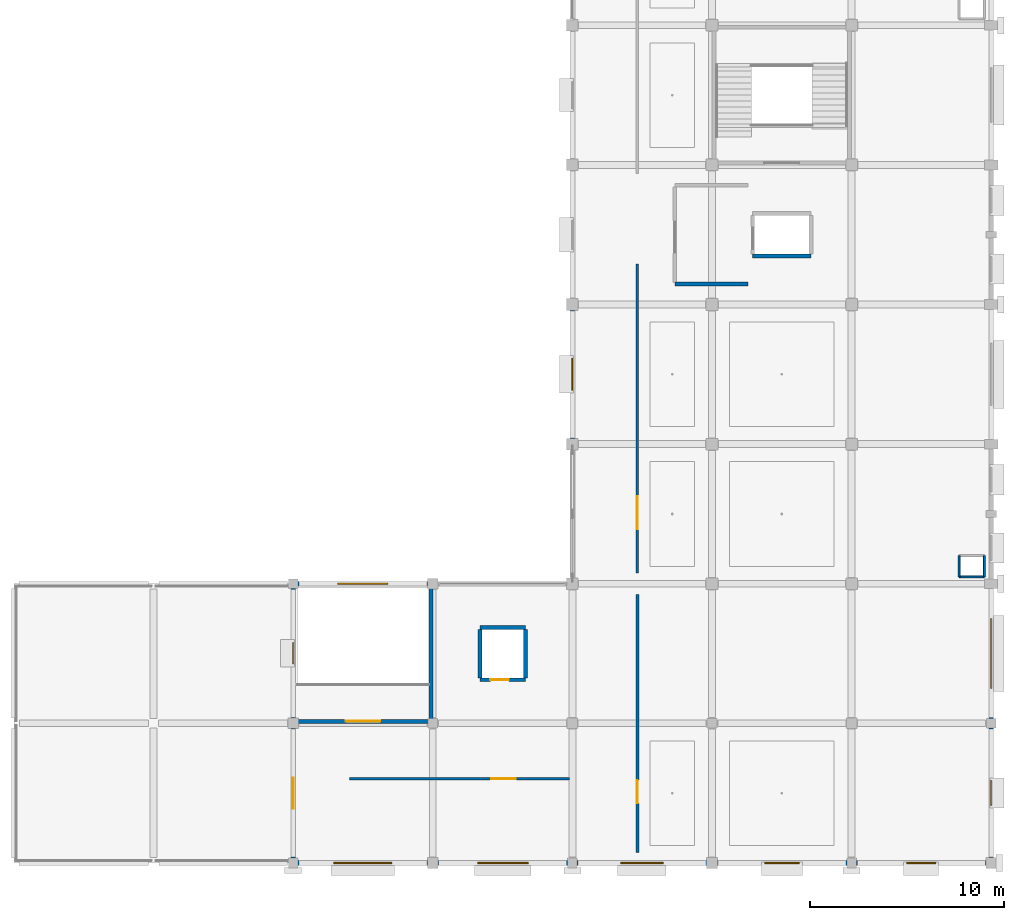
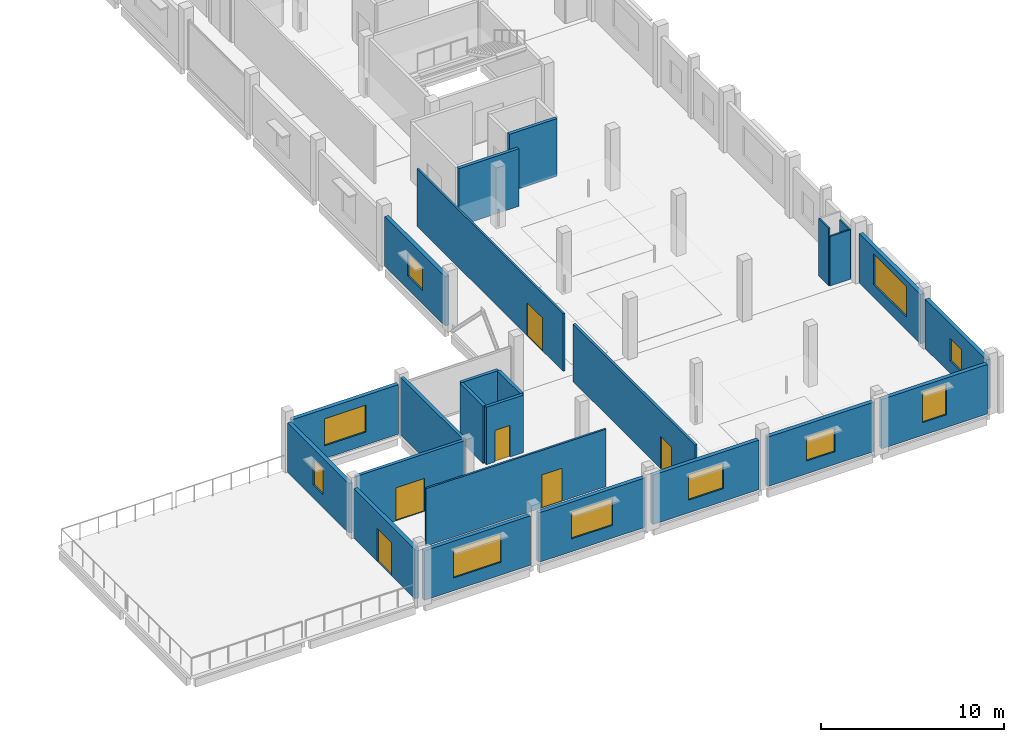
# One storey, part 42 of 59: 25 walls, 10 windows, 6 doors, 16 openings.
"""IFC4 building model written with IfcOpenShell, lengths in metres."""

import ifcopenshell
import ifcopenshell.guid

model = None  # the IFC model being written
_history = None  # IfcOwnerHistory: only IFC2X3 demands one
_inside = {}  # id of a spatial element -> (the spatial element, [elements in it])
_under = {}  # id of a project, library or spatial element -> (it, [spatial elements below it])
_declared = {}  # id of a project -> (the project, [libraries it declares])
_typed = {}  # id of a type object -> (the type object, [elements of that type])
_made_of = {}  # id of a material, layer set ... -> (it, [elements and type objects made of it])


def new_model(schema):
    """Start an empty IFC model of exactly this schema.

    Asked for "IFC4X3", IfcOpenShell would pick the latest addendum, in which some entities
    have other attributes; the version numbers below select the first issue.
    IFC2X3 requires an IfcOwnerHistory on every rooted entity: one is made here for all.
    """
    global model, _history
    if schema == "IFC4X3":
        model = ifcopenshell.file(schema_version=(4, 3, 0, 0))
    else:
        model = ifcopenshell.file(schema=schema)
    _inside.clear()
    _under.clear()
    _declared.clear()
    _typed.clear()
    _made_of.clear()
    _history = None
    if model.schema == "IFC2X3":
        org = make("IfcOrganization", Name="unknown")
        user = make(
            "IfcPersonAndOrganization",
            ThePerson=make("IfcPerson", FamilyName="unknown"),
            TheOrganization=org,
        )
        app = make(
            "IfcApplication",
            ApplicationDeveloper=org,
            Version="unknown",
            ApplicationFullName="unknown",
            ApplicationIdentifier="unknown",
        )
        _history = make(
            "IfcOwnerHistory",
            OwningUser=user,
            OwningApplication=app,
            ChangeAction="ADDED",
            CreationDate=0,
        )
    return model


def make(cls, **values):
    """One entity of the class cls with the attributes given. An attribute that is None is left unset."""
    return model.create_entity(
        cls, **{name: value for name, value in values.items() if value is not None}
    )


def rooted(cls, **values):
    """An entity with a GlobalId (a new one), such as an element, a storey or a relation."""
    return make(cls, GlobalId=ifcopenshell.guid.new(), OwnerHistory=_history, **values)


def si_unit(unit_type, name, prefix=None):
    """IfcSIUnit, for example si_unit("LENGTHUNIT", "METRE", prefix="MILLI")."""
    return make("IfcSIUnit", UnitType=unit_type, Prefix=prefix, Name=name)


def assignment(units):
    """IfcUnitAssignment: the units of a project."""
    return None if units is None else make("IfcUnitAssignment", Units=units)


def point(xyz):
    """IfcCartesianPoint."""
    return None if xyz is None else make("IfcCartesianPoint", Coordinates=xyz)


def direction(xyz):
    """IfcDirection."""
    return None if xyz is None else make("IfcDirection", DirectionRatios=xyz)


def frame(location, z_axis=None, x_axis=None):
    """IfcAxis2Placement3D, a coordinate frame: its origin and axes. An axis left out is left unset."""
    return make(
        "IfcAxis2Placement3D",
        Location=point(location),
        Axis=direction(z_axis),
        RefDirection=direction(x_axis),
    )


def frame_2d(location, x_axis=None):
    """IfcAxis2Placement2D, a coordinate frame in the plane: its origin and x axis."""
    return make(
        "IfcAxis2Placement2D", Location=point(location), RefDirection=direction(x_axis)
    )


def origin():
    """The frame at (0, 0, 0) with its axes left unset."""
    return frame((0.0, 0.0, 0.0))


def place(relative_to, where):
    """IfcLocalPlacement: puts the frame where relative to a parent placement (None: the world)."""
    return make(
        "IfcLocalPlacement", PlacementRelTo=relative_to, RelativePlacement=where
    )


def context(
    kind, dimensions, precision=None, world=None, true_north=None, identifier=None
):
    """IfcGeometricRepresentationContext, for example the 3D "Model" context."""
    return make(
        "IfcGeometricRepresentationContext",
        ContextIdentifier=identifier,
        ContextType=kind,
        CoordinateSpaceDimension=dimensions,
        Precision=precision,
        WorldCoordinateSystem=world,
        TrueNorth=true_north,
    )


def subcontext(parent, identifier, kind, view, scale=None):
    """IfcGeometricRepresentationSubContext, for example "Body" below "Model"."""
    return make(
        "IfcGeometricRepresentationSubContext",
        ContextIdentifier=identifier,
        ContextType=kind,
        ParentContext=parent,
        TargetScale=scale,
        TargetView=view,
    )


def project(units=None, contexts=None):
    """IfcProject with its units and contexts."""
    return rooted(
        "IfcProject",
        Name="project",
        RepresentationContexts=contexts,
        UnitsInContext=assignment(units),
    )


def spatial(cls, under=None, at=None, **own):
    """A site, building, storey or space (cls), placed at a placement, below another one or the project."""
    s = rooted(cls, ObjectPlacement=at, **own)
    if under is not None:
        _under.setdefault(under.id(), (under, []))[1].append(s)
    return s


def profile(cls, at=None, kind="AREA", **sizes):
    """A parametric profile (cls). Its sizes go by their IFC names, for example OverallWidth=200.0."""
    return make(cls, ProfileType=kind, Position=at, **sizes)


def rectangle(**sizes):
    """IfcRectangleProfileDef."""
    return profile("IfcRectangleProfileDef", **sizes)


def extrude(swept, where, along, depth):
    """IfcExtrudedAreaSolid: the profile swept, set in the frame where, extruded along a direction by depth."""
    return make(
        "IfcExtrudedAreaSolid",
        SweptArea=swept,
        Position=where,
        ExtrudedDirection=direction(along),
        Depth=depth,
    )


def shape(context_of_items, identifier, shape_type, items):
    """IfcShapeRepresentation: the items that make up one representation, for example the "Body"."""
    return make(
        "IfcShapeRepresentation",
        ContextOfItems=context_of_items,
        RepresentationIdentifier=identifier,
        RepresentationType=shape_type,
        Items=items,
    )


def material(Name=None, Category=None):
    """IfcMaterial."""
    return make("IfcMaterial", Name=Name, Category=Category)


def layer(
    of_material, thickness, ventilated=None, Name=None, Category=None, Priority=None
):
    """IfcMaterialLayer: one layer of a wall or slab, of a material (None: an air gap)."""
    return make(
        "IfcMaterialLayer",
        Material=of_material,
        LayerThickness=thickness,
        IsVentilated=ventilated,
        Name=Name,
        Category=Category,
        Priority=Priority,
    )


def layer_set(layers, Name=None):
    """IfcMaterialLayerSet."""
    return make("IfcMaterialLayerSet", MaterialLayers=layers, LayerSetName=Name)


def made_of(thing, what):
    """Note that an element or type object is made of a material, layer set ...; save() writes the relation."""
    if what is not None:
        _made_of.setdefault(what.id(), (what, []))[1].append(thing)
    return thing


def type_object(cls, material=None, **own):
    """A type object (cls), such as IfcWallType, which elements share."""
    return made_of(rooted(cls, **own), material)


def element(
    cls,
    number,
    at=None,
    inside=None,
    cuts=None,
    type_object=None,
    material=None,
    context=None,
    identifier="Body",
    shape_type=None,
    held_by="IfcProductDefinitionShape",
    body=None,
    shapes=None,
    **own,
):
    """One element of the class cls, such as IfcWall. Its Tag is "e" and its number.

    at: its placement. inside: the storey or other place that contains it. cuts: it is an
    opening in that element (IfcRelVoidsElement). A single representation is given by context,
    identifier, shape_type and body (its items); several are given by shapes. held_by: the class
    of the entity that holds the representations. save() writes the other relations.
    """
    e = rooted(cls, Tag="e%d" % number, ObjectPlacement=at, **own)
    if body is not None:
        shapes = [shape(context, identifier, shape_type, body)]
    if shapes is not None:
        e.Representation = make(held_by, Representations=shapes)
    if inside is not None:
        _inside.setdefault(inside.id(), (inside, []))[1].append(e)
    if cuts is not None:
        rooted(
            "IfcRelVoidsElement", RelatingBuildingElement=cuts, RelatedOpeningElement=e
        )
    if type_object is not None:
        _typed.setdefault(type_object.id(), (type_object, []))[1].append(e)
    return made_of(e, material)


def fill(opening, filler):
    """IfcRelFillsElement: the door or window that sits in an opening."""
    return rooted(
        "IfcRelFillsElement",
        RelatingOpeningElement=opening,
        RelatedBuildingElement=filler,
    )


def aggregate(whole, parts):
    """IfcRelAggregates: a whole, such as a stair, and the parts it consists of."""
    return rooted("IfcRelAggregates", RelatingObject=whole, RelatedObjects=parts)


def save(model, path):
    """Write the relations noted so far, then the file.

    IfcRelAggregates (storeys below a building ...), IfcRelContainedInSpatialStructure (elements
    in a storey), IfcRelDefinesByType, IfcRelAssociatesMaterial and IfcRelDeclares: one each for
    every whole, place, type object, material and project.
    """
    for whole, parts in _under.values():
        aggregate(whole, parts)
    for where, things in _inside.values():
        rooted(
            "IfcRelContainedInSpatialStructure",
            RelatedElements=things,
            RelatingStructure=where,
        )
    for kind, things in _typed.values():
        rooted("IfcRelDefinesByType", RelatedObjects=things, RelatingType=kind)
    for what, things in _made_of.values():
        rooted("IfcRelAssociatesMaterial", RelatedObjects=things, RelatingMaterial=what)
    for by, libraries in _declared.values():
        rooted("IfcRelDeclares", RelatingContext=by, RelatedDefinitions=libraries)
    model.write(path)


model = new_model("IFC4")

# Units and contexts
model_context = context("Model", 3, precision=1e-05, world=origin(), true_north=direction((0.0, 1.0)))
body_context = subcontext(model_context, "Body", "Model", "MODEL_VIEW")
ifc_project = project(units=[si_unit("LENGTHUNIT", "METRE"), si_unit("AREAUNIT", "SQUARE_METRE"), si_unit("VOLUMEUNIT", "CUBIC_METRE"), si_unit("PLANEANGLEUNIT", "RADIAN"), si_unit("MASSUNIT", "GRAM", prefix="KILO")], contexts=[model_context])

# Site, building, storey
site_placement = place(None, origin())
site = spatial("IfcSite", under=ifc_project, at=site_placement, CompositionType="ELEMENT")
building_placement = place(site_placement, origin())
building = spatial("IfcBuilding", under=site, at=building_placement, Name="Kangsadwip Square Police Headquarters", CompositionType="ELEMENT")
storey_placement = place(building_placement, frame((0.0, 0.0, 21.60009765625)))
storey = spatial("IfcBuildingStorey", under=building, at=storey_placement, Name="L05", CompositionType="ELEMENT", Elevation=21.60009765625)

# Wall, opening, door
ifc_material_1 = material(Name="Fire-rated double gypsum board acoustic stud partition", Category="masonry")
ifc_layer_1 = layer(ifc_material_1, 0.1201171875)
ifc_layer_set_1 = layer_set([ifc_layer_1], Name="Fire-rated double gypsum board acoustic stud partition")
wall_type_1 = type_object("IfcWallType", Name="AcousticPartition120", PredefinedType="PARTITIONING", material=ifc_layer_set_1)
wall_1_placement = place(storey_placement, frame((147.35009765625, 36.550048828125, 0.0), z_axis=(0.0, 0.0, 1.0), x_axis=(0.0, 1.0, 0.0)))
wall_1 = element("IfcWall", 1, at=wall_1_placement, inside=storey, type_object=wall_type_1, Name="Interior Wall WI-L05-0896", PredefinedType="PARTITIONING", context=body_context, shape_type="SweptSolid", body=[
    extrude(rectangle(XDim=15.949951171875, YDim=0.1201171875, at=frame_2d((7.97509765625, 0.0))), origin(), (0.0, 0.0, 1.0), 3.829833984375),
])
opening_1_placement = place(wall_1_placement, frame((2.25, 0.0, 0.0)))
opening_1 = element("IfcOpeningElement", 2, at=opening_1_placement, cuts=wall_1, Name="Opening ID-17", PredefinedType="OPENING", context=body_context, shape_type="SweptSolid", body=[
    extrude(rectangle(XDim=1.699951171875, YDim=2.199951171875, at=frame_2d((0.85009765625, 1.10009765625))), frame((0.0, 0.070068359375, 0.0), z_axis=(0.0, -1.0, 0.0), x_axis=(1.0, 0.0, 0.0)), (0.0, 0.0, 1.0), 0.14013671875),
])
ifc_material_2 = material(Name="Insulated galvanized steel fire-rated door assembly", Category="steel")
door_type_1 = type_object("IfcDoorType", Name="LabDoubleDoor1700x2200", OperationType="DOUBLE_DOOR_SINGLE_SWING", PredefinedType="DOOR", material=ifc_material_2)
door_1_placement = place(opening_1_placement, origin())
door_1 = element("IfcDoor", 3, at=door_1_placement, inside=storey, type_object=door_type_1, Name="Interior Door ID-L05-0249", OperationType="DOUBLE_DOOR_SINGLE_SWING", OverallHeight=2.199951171875, OverallWidth=1.699951171875, PredefinedType="DOOR", context=body_context, shape_type="SweptSolid", body=[
    extrude(rectangle(XDim=1.699951171875, YDim=2.199951171875, at=frame_2d((0.85009765625, 1.10009765625))), frame((0.0, 0.02490234375, 0.0), z_axis=(0.0, -1.0, 0.0), x_axis=(1.0, 0.0, 0.0)), (0.0, 0.0, 1.0), 0.050048828125),
])
fill(opening_1, door_1)

wall_2_placement = place(storey_placement, frame((132.5, 25.949951171875, 0.0), z_axis=(0.0, 0.0, 1.0), x_axis=(1.0, 0.0, 0.0)))
wall_2 = element("IfcWall", 4, at=wall_2_placement, inside=storey, type_object=wall_type_1, Name="Interior Wall WI-L05-0899", PredefinedType="PARTITIONING", context=body_context, shape_type="SweptSolid", body=[
    extrude(rectangle(XDim=11.35009765625, YDim=0.1201171875, at=frame_2d((5.675048828125, 0.0))), origin(), (0.0, 0.0, 1.0), 3.829833984375),
])
opening_2_placement = place(wall_2_placement, frame((7.323974609375, 0.0, 0.0)))
opening_2 = element("IfcOpeningElement", 5, at=opening_2_placement, cuts=wall_2, Name="Opening ID-12A", PredefinedType="OPENING", context=body_context, shape_type="SweptSolid", body=[
    extrude(rectangle(XDim=1.25, YDim=2.199951171875, at=frame_2d((0.625, 1.10009765625))), frame((0.0, 0.070068359375, 0.0), z_axis=(0.0, -1.0, 0.0), x_axis=(1.0, 0.0, 0.0)), (0.0, 0.0, 1.0), 0.14013671875),
])
ifc_material_3 = material(Name="Solid-core seasoned teak hardwood architectural door", Category="wood")
door_type_2 = type_object("IfcDoorType", Name="ClassroomDoor1250x2200", OperationType="NOTDEFINED", PredefinedType="DOOR", material=ifc_material_3)
door_2_placement = place(opening_2_placement, origin())
door_2 = element("IfcDoor", 6, at=door_2_placement, inside=storey, type_object=door_type_2, Name="Interior Door ID-L05-0251", OperationType="SINGLE_SWING_LEFT", OverallHeight=2.199951171875, OverallWidth=1.25, PredefinedType="DOOR", context=body_context, shape_type="SweptSolid", body=[
    extrude(rectangle(XDim=1.25, YDim=2.199951171875, at=frame_2d((0.625, 1.10009765625))), frame((0.0, 0.02490234375, 0.0), z_axis=(0.0, -1.0, 0.0), x_axis=(1.0, 0.0, 0.0)), (0.0, 0.0, 1.0), 0.050048828125),
])
fill(opening_2, door_2)

ifc_material_4 = material(Name="Autoclaved aerated concrete blockwork masonry", Category="masonry")
ifc_layer_2 = layer(ifc_material_4, 0.14990234375)
ifc_layer_set_2 = layer_set([ifc_layer_2], Name="Autoclaved aerated concrete blockwork masonry")
wall_type_2 = type_object("IfcWallType", Name="BlockPartition150", PredefinedType="PARTITIONING", material=ifc_layer_set_2)
wall_3_placement = place(storey_placement, frame((147.35009765625, 22.14990234375, 0.0), z_axis=(0.0, 0.0, 1.0), x_axis=(0.0, 1.0, 0.0)))
wall_3 = element("IfcWall", 7, at=wall_3_placement, inside=storey, type_object=wall_type_2, Name="Interior Wall WI-L05-0900", PredefinedType="PARTITIONING", context=body_context, shape_type="SweptSolid", body=[
    extrude(rectangle(XDim=13.300048828125, YDim=0.14990234375, at=frame_2d((6.64990234375, 0.0))), origin(), (0.0, 0.0, 1.0), 3.829833984375),
])
opening_3_placement = place(wall_3_placement, frame((2.52001953125, 0.0, 0.0)))
opening_3 = element("IfcOpeningElement", 8, at=opening_3_placement, cuts=wall_3, Name="Opening ID-12B", PredefinedType="OPENING", context=body_context, shape_type="SweptSolid", body=[
    extrude(rectangle(XDim=1.199951171875, YDim=2.14990234375, at=frame_2d((0.60009765625, 1.074951171875))), frame((0.0, 0.0849609375, 0.0), z_axis=(0.0, -1.0, 0.0), x_axis=(1.0, 0.0, 0.0)), (0.0, 0.0, 1.0), 0.169921875),
])
ifc_material_5 = material(Name="Solid-core seasoned teak hardwood architectural door", Category="wood")
door_type_3 = type_object("IfcDoorType", Name="ClinicDoor1200x2150", OperationType="NOTDEFINED", PredefinedType="DOOR", material=ifc_material_5)
door_3_placement = place(opening_3_placement, origin())
door_3 = element("IfcDoor", 9, at=door_3_placement, inside=storey, type_object=door_type_3, Name="Interior Door ID-L05-0252", OperationType="SINGLE_SWING_RIGHT", OverallHeight=2.14990234375, OverallWidth=1.199951171875, PredefinedType="DOOR", context=body_context, shape_type="SweptSolid", body=[
    extrude(rectangle(XDim=1.199951171875, YDim=2.14990234375, at=frame_2d((0.60009765625, 1.074951171875))), frame((0.0, 0.02490234375, 0.0), z_axis=(0.0, -1.0, 0.0), x_axis=(1.0, 0.0, 0.0)), (0.0, 0.0, 1.0), 0.050048828125),
])
fill(opening_3, door_3)

# Wall, opening, window
ifc_material_6 = material(Name="Glazed architectural terracotta masonry rainscreen", Category="masonry")
ifc_layer_3 = layer(ifc_material_6, 0.25)
ifc_layer_set_3 = layer_set([ifc_layer_3], Name="Glazed architectural terracotta masonry rainscreen")
wall_type_3 = type_object("IfcWallType", Name="ChicagoTerracottaWall250", PredefinedType="SOLIDWALL", material=ifc_layer_set_3)
wall_4_placement = place(storey_placement, frame((129.844970703125, 21.60009765625, 0.0), z_axis=(0.0, 0.0, 1.0), x_axis=(1.0, 0.0, 0.0)))
wall_4 = element("IfcWall", 10, at=wall_4_placement, inside=storey, type_object=wall_type_3, Name="Exterior Wall WE-L05-477", PredefinedType="SOLIDWALL", context=body_context, shape_type="SweptSolid", body=[
    extrude(rectangle(XDim=6.68505859375, YDim=0.25, at=frame_2d((3.342529296875, 0.0))), origin(), (0.0, 0.0, 1.0), 3.294921875),
])
opening_4_placement = place(wall_4_placement, frame((1.842529296875, 0.0, 0.85009765625)))
opening_4 = element("IfcOpeningElement", 11, at=opening_4_placement, cuts=wall_4, Name="Opening WN-04", PredefinedType="OPENING", context=body_context, shape_type="SweptSolid", body=[
    extrude(rectangle(XDim=3.0, YDim=1.89990234375, at=frame_2d((1.5, 0.949951171875))), frame((0.0, 0.135009765625, 0.0), z_axis=(0.0, -1.0, 0.0), x_axis=(1.0, 0.0, 0.0)), (0.0, 0.0, 1.0), 0.27001953125),
])
ifc_material_7 = material(Name="Double-glazed solar-control low-E safety glass", Category="glass")
window_type_1 = type_object("IfcWindowType", Name="ChicagoTripartiteWin3000x1900", PartitioningType="TRIPLE_PANEL_HORIZONTAL", PredefinedType="WINDOW", material=ifc_material_7)
window_1_placement = place(opening_4_placement, origin())
window_1 = element("IfcWindow", 12, at=window_1_placement, inside=storey, type_object=window_type_1, Name="Window WN-L05-0327", OverallHeight=1.89990234375, OverallWidth=3.0, PartitioningType="SINGLE_PANEL", PredefinedType="WINDOW", context=body_context, shape_type="SweptSolid", body=[
    extrude(rectangle(XDim=3.0, YDim=1.89990234375, at=frame_2d((1.5, 0.949951171875))), frame((0.0, 0.030029296875, 0.0), z_axis=(0.0, -1.0, 0.0), x_axis=(1.0, 0.0, 0.0)), (0.0, 0.0, 1.0), 0.06005859375),
])
fill(opening_4, window_1)

wall_5_placement = place(storey_placement, frame((137.070068359375, 21.60009765625, 0.0), z_axis=(0.0, 0.0, 1.0), x_axis=(1.0, 0.0, 0.0)))
wall_5 = element("IfcWall", 13, at=wall_5_placement, inside=storey, type_object=wall_type_3, Name="Exterior Wall WE-L05-478", PredefinedType="SOLIDWALL", context=body_context, shape_type="SweptSolid", body=[
    extrude(rectangle(XDim=6.684814453125, YDim=0.25, at=frame_2d((3.34228515625, 0.0))), origin(), (0.0, 0.0, 1.0), 3.294921875),
])
opening_5_placement = place(wall_5_placement, frame((2.04248046875, 0.0, 0.85009765625)))
opening_5 = element("IfcOpeningElement", 14, at=opening_5_placement, cuts=wall_5, Name="Opening WN-06", PredefinedType="OPENING", context=body_context, shape_type="SweptSolid", body=[
    extrude(rectangle(XDim=2.60009765625, YDim=1.800048828125, at=frame_2d((1.300048828125, 0.89990234375))), frame((0.0, 0.135009765625, 0.0), z_axis=(0.0, -1.0, 0.0), x_axis=(1.0, 0.0, 0.0)), (0.0, 0.0, 1.0), 0.27001953125),
])
ifc_material_8 = material(Name="Double-glazed solar-control low-E safety glass", Category="glass")
window_type_2 = type_object("IfcWindowType", Name="ChicagoDoubleMullWin2600x1800", PartitioningType="DOUBLE_PANEL_VERTICAL", PredefinedType="WINDOW", material=ifc_material_8)
window_2_placement = place(opening_5_placement, origin())
window_2 = element("IfcWindow", 15, at=window_2_placement, inside=storey, type_object=window_type_2, Name="Window WN-L05-0328", OverallHeight=1.800048828125, OverallWidth=2.60009765625, PartitioningType="SINGLE_PANEL", PredefinedType="WINDOW", context=body_context, shape_type="SweptSolid", body=[
    extrude(rectangle(XDim=2.60009765625, YDim=1.800048828125, at=frame_2d((1.300048828125, 0.89990234375))), frame((0.0, 0.030029296875, 0.0), z_axis=(0.0, -1.0, 0.0), x_axis=(1.0, 0.0, 0.0)), (0.0, 0.0, 1.0), 0.06005859375),
])
fill(opening_5, window_2)

wall_6_placement = place(storey_placement, frame((144.2451171875, 21.60009765625, 0.0), z_axis=(0.0, 0.0, 1.0), x_axis=(1.0, 0.0, 0.0)))
wall_6 = element("IfcWall", 16, at=wall_6_placement, inside=storey, type_object=wall_type_3, Name="Exterior Wall WE-L05-479", PredefinedType="SOLIDWALL", context=body_context, shape_type="SweptSolid", body=[
    extrude(rectangle(XDim=6.684814453125, YDim=0.25, at=frame_2d((3.34228515625, 0.0))), origin(), (0.0, 0.0, 1.0), 3.294921875),
])
opening_6_placement = place(wall_6_placement, frame((2.242431640625, 0.0, 0.85009765625)))
opening_6 = element("IfcOpeningElement", 17, at=opening_6_placement, cuts=wall_6, Name="Opening WN-08", PredefinedType="OPENING", context=body_context, shape_type="SweptSolid", body=[
    extrude(rectangle(XDim=2.199951171875, YDim=1.699951171875, at=frame_2d((1.10009765625, 0.85009765625))), frame((0.0, 0.135009765625, 0.0), z_axis=(0.0, -1.0, 0.0), x_axis=(1.0, 0.0, 0.0)), (0.0, 0.0, 1.0), 0.27001953125),
])
ifc_material_9 = material(Name="Double-glazed solar-control low-E safety glass", Category="glass")
window_type_3 = type_object("IfcWindowType", Name="ChicagoDoubleMullWin2200x1700", PartitioningType="DOUBLE_PANEL_VERTICAL", PredefinedType="WINDOW", material=ifc_material_9)
window_3_placement = place(opening_6_placement, origin())
window_3 = element("IfcWindow", 18, at=window_3_placement, inside=storey, type_object=window_type_3, Name="Window WN-L05-0329", OverallHeight=1.699951171875, OverallWidth=2.199951171875, PartitioningType="SINGLE_PANEL", PredefinedType="WINDOW", context=body_context, shape_type="SweptSolid", body=[
    extrude(rectangle(XDim=2.199951171875, YDim=1.699951171875, at=frame_2d((1.10009765625, 0.85009765625))), frame((0.0, 0.030029296875, 0.0), z_axis=(0.0, -1.0, 0.0), x_axis=(1.0, 0.0, 0.0)), (0.0, 0.0, 1.0), 0.06005859375),
])
fill(opening_6, window_3)

wall_7_placement = place(storey_placement, frame((151.469970703125, 21.60009765625, 0.0), z_axis=(0.0, 0.0, 1.0), x_axis=(1.0, 0.0, 0.0)))
wall_7 = element("IfcWall", 19, at=wall_7_placement, inside=storey, type_object=wall_type_3, Name="Exterior Wall WE-L05-480", PredefinedType="SOLIDWALL", context=body_context, shape_type="SweptSolid", body=[
    extrude(rectangle(XDim=6.68505859375, YDim=0.25, at=frame_2d((3.342529296875, 0.0))), origin(), (0.0, 0.0, 1.0), 3.294921875),
])
opening_7_placement = place(wall_7_placement, frame((2.4423828125, 0.0, 0.85009765625)))
opening_7 = element("IfcOpeningElement", 20, at=opening_7_placement, cuts=wall_7, Name="Opening WN-10", PredefinedType="OPENING", context=body_context, shape_type="SweptSolid", body=[
    extrude(rectangle(XDim=1.800048828125, YDim=1.60009765625, at=frame_2d((0.89990234375, 0.800048828125))), frame((0.0, 0.135009765625, 0.0), z_axis=(0.0, -1.0, 0.0), x_axis=(1.0, 0.0, 0.0)), (0.0, 0.0, 1.0), 0.27001953125),
])
ifc_material_10 = material(Name="Double-glazed solar-control low-E safety glass", Category="glass")
window_type_4 = type_object("IfcWindowType", Name="LabCleanViewWin1800x1600", PartitioningType="DOUBLE_PANEL_VERTICAL", PredefinedType="WINDOW", material=ifc_material_10)
window_4_placement = place(opening_7_placement, origin())
window_4 = element("IfcWindow", 21, at=window_4_placement, inside=storey, type_object=window_type_4, Name="Window WN-L05-0330", OverallHeight=1.60009765625, OverallWidth=1.800048828125, PartitioningType="SINGLE_PANEL", PredefinedType="WINDOW", context=body_context, shape_type="SweptSolid", body=[
    extrude(rectangle(XDim=1.800048828125, YDim=1.60009765625, at=frame_2d((0.89990234375, 0.800048828125))), frame((0.0, 0.030029296875, 0.0), z_axis=(0.0, -1.0, 0.0), x_axis=(1.0, 0.0, 0.0)), (0.0, 0.0, 1.0), 0.06005859375),
])
fill(opening_7, window_4)

wall_8_placement = place(storey_placement, frame((158.64501953125, 21.60009765625, 0.0), z_axis=(0.0, 0.0, 1.0), x_axis=(1.0, 0.0, 0.0)))
wall_8 = element("IfcWall", 22, at=wall_8_placement, inside=storey, type_object=wall_type_3, Name="Exterior Wall WE-L05-481", PredefinedType="SOLIDWALL", context=body_context, shape_type="SweptSolid", body=[
    extrude(rectangle(XDim=6.68505859375, YDim=0.25, at=frame_2d((3.342529296875, 0.0))), origin(), (0.0, 0.0, 1.0), 3.294921875),
])
opening_8_placement = place(wall_8_placement, frame((2.592529296875, 0.0, 0.85009765625)))
opening_8 = element("IfcOpeningElement", 23, at=opening_8_placement, cuts=wall_8, Name="Opening WN-12", PredefinedType="OPENING", context=body_context, shape_type="SweptSolid", body=[
    extrude(rectangle(XDim=1.5, YDim=2.050048828125, at=frame_2d((0.75, 1.02490234375))), frame((0.0, 0.135009765625, 0.0), z_axis=(0.0, -1.0, 0.0), x_axis=(1.0, 0.0, 0.0)), (0.0, 0.0, 1.0), 0.27001953125),
])
ifc_material_11 = material(Name="Double-glazed solar-control low-E safety glass", Category="glass")
window_type_5 = type_object("IfcWindowType", Name="DirectorateTallWin1500x2050", PartitioningType="SINGLE_PANEL", PredefinedType="WINDOW", material=ifc_material_11)
window_5_placement = place(opening_8_placement, origin())
window_5 = element("IfcWindow", 24, at=window_5_placement, inside=storey, type_object=window_type_5, Name="Window WN-L05-0331", OverallHeight=2.050048828125, OverallWidth=1.5, PartitioningType="SINGLE_PANEL", PredefinedType="WINDOW", context=body_context, shape_type="SweptSolid", body=[
    extrude(rectangle(XDim=1.5, YDim=2.050048828125, at=frame_2d((0.75, 1.02490234375))), frame((0.0, 0.030029296875, 0.0), z_axis=(0.0, -1.0, 0.0), x_axis=(1.0, 0.0, 0.0)), (0.0, 0.0, 1.0), 0.06005859375),
])
fill(opening_8, window_5)

wall_9_placement = place(storey_placement, frame((129.844970703125, 36.0, 0.0), z_axis=(0.0, 0.0, 1.0), x_axis=(1.0, 0.0, 0.0)))
wall_9 = element("IfcWall", 25, at=wall_9_placement, inside=storey, type_object=wall_type_3, Name="Exterior Wall WE-L05-485", PredefinedType="SOLIDWALL", context=body_context, shape_type="SweptSolid", body=[
    extrude(rectangle(XDim=6.68505859375, YDim=0.25, at=frame_2d((3.342529296875, 0.0))), origin(), (0.0, 0.0, 1.0), 3.294921875),
])
opening_9_placement = place(wall_9_placement, frame((2.04248046875, 0.0, 0.85009765625)))
opening_9 = element("IfcOpeningElement", 26, at=opening_9_placement, cuts=wall_9, Name="Opening WN-06", PredefinedType="OPENING", context=body_context, shape_type="SweptSolid", body=[
    extrude(rectangle(XDim=2.60009765625, YDim=1.800048828125, at=frame_2d((1.300048828125, 0.89990234375))), frame((0.0, 0.135009765625, 0.0), z_axis=(0.0, -1.0, 0.0), x_axis=(1.0, 0.0, 0.0)), (0.0, 0.0, 1.0), 0.27001953125),
])
window_6_placement = place(opening_9_placement, origin())
window_6 = element("IfcWindow", 27, at=window_6_placement, inside=storey, type_object=window_type_2, Name="Window WN-L05-0335", OverallHeight=1.800048828125, OverallWidth=2.60009765625, PartitioningType="SINGLE_PANEL", PredefinedType="WINDOW", context=body_context, shape_type="SweptSolid", body=[
    extrude(rectangle(XDim=2.60009765625, YDim=1.800048828125, at=frame_2d((1.300048828125, 0.89990234375))), frame((0.0, 0.030029296875, 0.0), z_axis=(0.0, -1.0, 0.0), x_axis=(1.0, 0.0, 0.0)), (0.0, 0.0, 1.0), 0.06005859375),
])
fill(opening_9, window_6)

# Wall, opening, door
wall_10_placement = place(storey_placement, frame((129.60009765625, 21.844970703125, 0.0), z_axis=(0.0, 0.0, 1.0), x_axis=(0.0, 1.0, 0.0)))
wall_10 = element("IfcWall", 28, at=wall_10_placement, inside=storey, type_object=wall_type_3, Name="Exterior Wall WE-L05-507", PredefinedType="SOLIDWALL", context=body_context, shape_type="SweptSolid", body=[
    extrude(rectangle(XDim=6.68505859375, YDim=0.25, at=frame_2d((3.342529296875, 0.0))), origin(), (0.0, 0.0, 1.0), 3.294921875),
])
opening_10_placement = place(wall_10_placement, frame((2.54248046875, 0.0, 0.0)))
opening_10 = element("IfcOpeningElement", 29, at=opening_10_placement, cuts=wall_10, Name="Opening TD-16", PredefinedType="OPENING", context=body_context, shape_type="SweptSolid", body=[
    extrude(rectangle(XDim=1.60009765625, YDim=2.199951171875, at=frame_2d((0.800048828125, 1.10009765625))), frame((0.0, 0.135009765625, 0.0), z_axis=(0.0, -1.0, 0.0), x_axis=(1.0, 0.0, 0.0)), (0.0, 0.0, 1.0), 0.27001953125),
])
ifc_material_12 = material(Name="Galvanized hollow-metal architectural steel door assembly", Category="steel")
door_type_4 = type_object("IfcDoorType", Name="TerraceAccessDoubleDoor1600x2200", OperationType="DOUBLE_DOOR_SINGLE_SWING", PredefinedType="DOOR", material=ifc_material_12)
door_4_placement = place(opening_10_placement, origin())
door_4 = element("IfcDoor", 30, at=door_4_placement, inside=storey, type_object=door_type_4, Name="Exterior Door ED-L05-023", OperationType="DOUBLE_DOOR_SINGLE_SWING", OverallHeight=2.199951171875, OverallWidth=1.60009765625, PredefinedType="DOOR", context=body_context, shape_type="SweptSolid", body=[
    extrude(rectangle(XDim=1.60009765625, YDim=2.199951171875, at=frame_2d((0.800048828125, 1.10009765625))), frame((0.0, 0.02490234375, 0.0), z_axis=(0.0, -1.0, 0.0), x_axis=(1.0, 0.0, 0.0)), (0.0, 0.0, 1.0), 0.050048828125),
])
fill(opening_10, door_4)

# Wall, opening, window
wall_11_placement = place(storey_placement, frame((129.60009765625, 29.070068359375, 0.0), z_axis=(0.0, 0.0, 1.0), x_axis=(0.0, 1.0, 0.0)))
wall_11 = element("IfcWall", 31, at=wall_11_placement, inside=storey, type_object=wall_type_3, Name="Exterior Wall WE-L05-508", PredefinedType="SOLIDWALL", context=body_context, shape_type="SweptSolid", body=[
    extrude(rectangle(XDim=6.684814453125, YDim=0.25, at=frame_2d((3.34228515625, 0.0))), origin(), (0.0, 0.0, 1.0), 3.294921875),
])
opening_11_placement = place(wall_11_placement, frame((2.79248046875, 0.0, 0.85009765625)))
opening_11 = element("IfcOpeningElement", 32, at=opening_11_placement, cuts=wall_11, Name="Opening WN-15", PredefinedType="OPENING", context=body_context, shape_type="SweptSolid", body=[
    extrude(rectangle(XDim=1.10009765625, YDim=1.75, at=frame_2d((0.550048828125, 0.875))), frame((0.0, 0.135009765625, 0.0), z_axis=(0.0, -1.0, 0.0), x_axis=(1.0, 0.0, 0.0)), (0.0, 0.0, 1.0), 0.27001953125),
])
ifc_material_13 = material(Name="Double-glazed solar-control low-E safety glass", Category="glass")
window_type_6 = type_object("IfcWindowType", Name="StairDaylightWin1100x1750", PartitioningType="SINGLE_PANEL", PredefinedType="WINDOW", material=ifc_material_13)
window_7_placement = place(opening_11_placement, origin())
window_7 = element("IfcWindow", 33, at=window_7_placement, inside=storey, type_object=window_type_6, Name="Window WN-L05-0357", OverallHeight=1.75, OverallWidth=1.10009765625, PartitioningType="SINGLE_PANEL", PredefinedType="WINDOW", context=body_context, shape_type="SweptSolid", body=[
    extrude(rectangle(XDim=1.10009765625, YDim=1.75, at=frame_2d((0.550048828125, 0.875))), frame((0.0, 0.030029296875, 0.0), z_axis=(0.0, -1.0, 0.0), x_axis=(1.0, 0.0, 0.0)), (0.0, 0.0, 1.0), 0.06005859375),
])
fill(opening_11, window_7)

wall_12_placement = place(storey_placement, frame((144.0, 43.4951171875, 0.0), z_axis=(0.0, 0.0, 1.0), x_axis=(0.0, 1.0, 0.0)))
wall_12 = element("IfcWall", 34, at=wall_12_placement, inside=storey, type_object=wall_type_3, Name="Exterior Wall WE-L05-509", PredefinedType="SOLIDWALL", context=body_context, shape_type="SweptSolid", body=[
    extrude(rectangle(XDim=6.60986328125, YDim=0.25, at=frame_2d((3.304931640625, 0.0))), origin(), (0.0, 0.0, 1.0), 3.294921875),
])
opening_12_placement = place(wall_12_placement, frame((2.47998046875, 0.0, 0.85009765625)))
opening_12 = element("IfcOpeningElement", 35, at=opening_12_placement, cuts=wall_12, Name="Opening WN-11", PredefinedType="OPENING", context=body_context, shape_type="SweptSolid", body=[
    extrude(rectangle(XDim=1.64990234375, YDim=1.550048828125, at=frame_2d((0.824951171875, 0.77490234375))), frame((0.0, 0.135009765625, 0.0), z_axis=(0.0, -1.0, 0.0), x_axis=(1.0, 0.0, 0.0)), (0.0, 0.0, 1.0), 0.27001953125),
])
ifc_material_14 = material(Name="Double-glazed solar-control low-E safety glass", Category="glass")
window_type_7 = type_object("IfcWindowType", Name="LabCleanViewWin1650x1550", PartitioningType="SINGLE_PANEL", PredefinedType="WINDOW", material=ifc_material_14)
window_8_placement = place(opening_12_placement, origin())
window_8 = element("IfcWindow", 36, at=window_8_placement, inside=storey, type_object=window_type_7, Name="Window WN-L05-0358", OverallHeight=1.550048828125, OverallWidth=1.64990234375, PartitioningType="SINGLE_PANEL", PredefinedType="WINDOW", context=body_context, shape_type="SweptSolid", body=[
    extrude(rectangle(XDim=1.64990234375, YDim=1.550048828125, at=frame_2d((0.824951171875, 0.77490234375))), frame((0.0, 0.030029296875, 0.0), z_axis=(0.0, -1.0, 0.0), x_axis=(1.0, 0.0, 0.0)), (0.0, 0.0, 1.0), 0.06005859375),
])
fill(opening_12, window_8)

wall_13_placement = place(storey_placement, frame((165.60009765625, 21.8701171875, 0.0), z_axis=(0.0, 0.0, 1.0), x_axis=(0.0, 1.0, 0.0)))
wall_13 = element("IfcWall", 37, at=wall_13_placement, inside=storey, type_object=wall_type_3, Name="Exterior Wall WE-L05-518", PredefinedType="SOLIDWALL", context=body_context, shape_type="SweptSolid", body=[
    extrude(rectangle(XDim=6.684814453125, YDim=0.25, at=frame_2d((3.34228515625, 0.0))), origin(), (0.0, 0.0, 1.0), 3.294921875),
])
opening_13_placement = place(wall_13_placement, frame((2.717529296875, 0.0, 0.85009765625)))
opening_13 = element("IfcOpeningElement", 38, at=opening_13_placement, cuts=wall_13, Name="Opening WN-14", PredefinedType="OPENING", context=body_context, shape_type="SweptSolid", body=[
    extrude(rectangle(XDim=1.25, YDim=1.5, at=frame_2d((0.625, 0.75))), frame((0.0, 0.135009765625, 0.0), z_axis=(0.0, -1.0, 0.0), x_axis=(1.0, 0.0, 0.0)), (0.0, 0.0, 1.0), 0.27001953125),
])
ifc_material_15 = material(Name="Double-glazed solar-control low-E safety glass", Category="glass")
window_type_8 = type_object("IfcWindowType", Name="OfficeCasementWin1250x1500", PartitioningType="SINGLE_PANEL", PredefinedType="WINDOW", material=ifc_material_15)
window_9_placement = place(opening_13_placement, origin())
window_9 = element("IfcWindow", 39, at=window_9_placement, inside=storey, type_object=window_type_8, Name="Window WN-L05-0367", OverallHeight=1.5, OverallWidth=1.25, PartitioningType="SINGLE_PANEL", PredefinedType="WINDOW", context=body_context, shape_type="SweptSolid", body=[
    extrude(rectangle(XDim=1.25, YDim=1.5, at=frame_2d((0.625, 0.75))), frame((0.0, 0.030029296875, 0.0), z_axis=(0.0, -1.0, 0.0), x_axis=(1.0, 0.0, 0.0)), (0.0, 0.0, 1.0), 0.06005859375),
])
fill(opening_13, window_9)

wall_14_placement = place(storey_placement, frame((165.60009765625, 29.044921875, 0.0), z_axis=(0.0, 0.0, 1.0), x_axis=(0.0, 1.0, 0.0)))
wall_14 = element("IfcWall", 40, at=wall_14_placement, inside=storey, type_object=wall_type_3, Name="Exterior Wall WE-L05-519", PredefinedType="SOLIDWALL", context=body_context, shape_type="SweptSolid", body=[
    extrude(rectangle(XDim=6.7099609375, YDim=0.25, at=frame_2d((3.35498046875, 0.0))), origin(), (0.0, 0.0, 1.0), 3.294921875),
])
opening_14_placement = place(wall_14_placement, frame((1.554931640625, 0.0, 0.85009765625)))
opening_14 = element("IfcOpeningElement", 41, at=opening_14_placement, cuts=wall_14, Name="Opening WN-01", PredefinedType="OPENING", context=body_context, shape_type="SweptSolid", body=[
    extrude(rectangle(XDim=3.60009765625, YDim=2.050048828125, at=frame_2d((1.800048828125, 1.02490234375))), frame((0.0, 0.135009765625, 0.0), z_axis=(0.0, -1.0, 0.0), x_axis=(1.0, 0.0, 0.0)), (0.0, 0.0, 1.0), 0.27001953125),
])
ifc_material_16 = material(Name="Double-glazed solar-control low-E safety glass", Category="glass")
window_type_9 = type_object("IfcWindowType", Name="ChicagoTripartiteWin3600x2050", PartitioningType="TRIPLE_PANEL_HORIZONTAL", PredefinedType="WINDOW", material=ifc_material_16)
window_10_placement = place(opening_14_placement, origin())
window_10 = element("IfcWindow", 42, at=window_10_placement, inside=storey, type_object=window_type_9, Name="Window WN-L05-0368", OverallHeight=2.050048828125, OverallWidth=3.60009765625, PartitioningType="SINGLE_PANEL", PredefinedType="WINDOW", context=body_context, shape_type="SweptSolid", body=[
    extrude(rectangle(XDim=3.60009765625, YDim=2.050048828125, at=frame_2d((1.800048828125, 1.02490234375))), frame((0.0, 0.030029296875, 0.0), z_axis=(0.0, -1.0, 0.0), x_axis=(1.0, 0.0, 0.0)), (0.0, 0.0, 1.0), 0.06005859375),
])
fill(opening_14, window_10)

# Wall, opening, door
ifc_material_17 = material(Name="Concrete M40 (40 MPa)", Category="concrete")
ifc_layer_4 = layer(ifc_material_17, 0.199951171875)
ifc_layer_set_4 = layer_set([ifc_layer_4], Name="Concrete M40 (40 MPa)")
wall_type_4 = type_object("IfcWallType", Name="CoreShearWall200", PredefinedType="SHEAR", material=ifc_layer_set_4)
wall_15_placement = place(storey_placement, frame((129.800048828125, 28.89990234375, 0.0), z_axis=(0.0, 0.0, 1.0), x_axis=(1.0, 0.0, 0.0)))
wall_15 = element("IfcWall", 43, at=wall_15_placement, inside=storey, type_object=wall_type_4, Name="Interior Wall WI-L05-0196", PredefinedType="SHEAR", context=body_context, shape_type="SweptSolid", body=[
    extrude(rectangle(XDim=6.800048828125, YDim=0.199951171875, at=frame_2d((3.39990234375, 0.0))), origin(), (0.0, 0.0, 1.0), 3.829833984375),
])
opening_15_placement = place(wall_15_placement, frame((2.5, 0.0, 0.0)))
opening_15 = element("IfcOpeningElement", 44, at=opening_15_placement, cuts=wall_15, Name="Opening FD-18", PredefinedType="OPENING", context=body_context, shape_type="SweptSolid", body=[
    extrude(rectangle(XDim=1.800048828125, YDim=2.199951171875, at=frame_2d((0.89990234375, 1.10009765625))), frame((0.0, 0.10986328125, 0.0), z_axis=(0.0, -1.0, 0.0), x_axis=(1.0, 0.0, 0.0)), (0.0, 0.0, 1.0), 0.219970703125),
])
ifc_material_18 = material(Name="Insulated galvanized steel fire-rated door assembly", Category="steel")
door_type_5 = type_object("IfcDoorType", Name="StairFireDoor1800x2200", OperationType="DOUBLE_DOOR_SINGLE_SWING", PredefinedType="DOOR", material=ifc_material_18)
door_5_placement = place(opening_15_placement, origin())
door_5 = element("IfcDoor", 45, at=door_5_placement, inside=storey, type_object=door_type_5, Name="Interior Door ID-L05-0045", OperationType="DOUBLE_DOOR_SINGLE_SWING", OverallHeight=2.199951171875, OverallWidth=1.800048828125, PredefinedType="DOOR", context=body_context, shape_type="SweptSolid", body=[
    extrude(rectangle(XDim=1.800048828125, YDim=2.199951171875, at=frame_2d((0.89990234375, 1.10009765625))), frame((0.0, 0.02490234375, 0.0), z_axis=(0.0, -1.0, 0.0), x_axis=(1.0, 0.0, 0.0)), (0.0, 0.0, 1.0), 0.050048828125),
])
fill(opening_15, door_5)

# Walls
wall_16_placement = place(storey_placement, frame((136.699951171875, 29.0, 0.0), z_axis=(0.0, 0.0, 1.0), x_axis=(0.0, 1.0, 0.0)))
element("IfcWall", 46, at=wall_16_placement, inside=storey, type_object=wall_type_4, Name="Interior Wall WI-L05-0197", PredefinedType="SHEAR", context=body_context, shape_type="SweptSolid", body=[
    extrude(rectangle(XDim=6.800048828125, YDim=0.199951171875, at=frame_2d((3.39990234375, 0.0))), origin(), (0.0, 0.0, 1.0), 3.829833984375),
])
wall_17_placement = place(storey_placement, frame((153.300048828125, 52.89990234375, 0.0), z_axis=(0.0, 0.0, 1.0), x_axis=(1.0, 0.0, 0.0)))
element("IfcWall", 47, at=wall_17_placement, inside=storey, type_object=wall_type_4, Name="Interior Wall WI-L05-0335", PredefinedType="SHEAR", context=body_context, shape_type="SweptSolid", body=[
    extrude(rectangle(XDim=3.0, YDim=0.199951171875, at=frame_2d((1.5, 0.0))), origin(), (0.0, 0.0, 1.0), 3.829833984375),
])

# Wall, opening, door
wall_18_placement = place(storey_placement, frame((139.22509765625, 31.050048828125, 0.0), z_axis=(0.0, 0.0, 1.0), x_axis=(1.0, 0.0, 0.0)))
wall_18 = element("IfcWall", 48, at=wall_18_placement, inside=storey, type_object=wall_type_4, Name="Interior Wall WI-L05-0507", PredefinedType="SHEAR", context=body_context, shape_type="SweptSolid", body=[
    extrude(rectangle(XDim=2.349853515625, YDim=0.199951171875, at=frame_2d((1.1748046875, 0.0))), origin(), (0.0, 0.0, 1.0), 3.829833984375),
])
opening_16_placement = place(wall_18_placement, frame((0.550048828125, 0.0, 0.0)))
opening_16 = element("IfcOpeningElement", 49, at=opening_16_placement, cuts=wall_18, Name="Opening LD-063", PredefinedType="OPENING", context=body_context, shape_type="SweptSolid", body=[
    extrude(rectangle(XDim=0.949951171875, YDim=2.10009765625, at=frame_2d((0.47509765625, 1.050048828125))), frame((0.0, 0.10986328125, 0.0), z_axis=(0.0, -1.0, 0.0), x_axis=(1.0, 0.0, 0.0)), (0.0, 0.0, 1.0), 0.219970703125),
])
ifc_material_19 = material(Name="Brushed stainless steel automatic sliding lift landing door", Category="steel")
door_type_6 = type_object("IfcDoorType", Name="LiftLandingDoor950x2100", OperationType="DOUBLE_DOOR_SLIDING", PredefinedType="DOOR", material=ifc_material_19)
door_6_placement = place(opening_16_placement, origin())
door_6 = element("IfcDoor", 50, at=door_6_placement, inside=storey, type_object=door_type_6, Name="Interior Door LD-063", OperationType="DOUBLE_DOOR_SLIDING", OverallHeight=2.10009765625, OverallWidth=0.949951171875, PredefinedType="DOOR", context=body_context, shape_type="SweptSolid", body=[
    extrude(rectangle(XDim=0.949951171875, YDim=2.10009765625, at=frame_2d((0.47509765625, 1.050048828125))), frame((0.0, 0.02490234375, 0.0), z_axis=(0.0, -1.0, 0.0), x_axis=(1.0, 0.0, 0.0)), (0.0, 0.0, 1.0), 0.050048828125),
])
fill(opening_16, door_6)

# Walls
wall_19_placement = place(storey_placement, frame((139.22509765625, 33.75, 0.0), z_axis=(0.0, 0.0, 1.0), x_axis=(1.0, 0.0, 0.0)))
element("IfcWall", 51, at=wall_19_placement, inside=storey, type_object=wall_type_4, Name="Interior Wall WI-L05-0508", PredefinedType="SHEAR", context=body_context, shape_type="SweptSolid", body=[
    extrude(rectangle(XDim=2.349853515625, YDim=0.199951171875, at=frame_2d((1.1748046875, 0.0))), origin(), (0.0, 0.0, 1.0), 3.829833984375),
])
for number, where, z_axis, x_axis, name in (
    (52, (139.22509765625, 31.14990234375, 0.0), (0.0, 0.0, 1.0), (0.0, 1.0, 0.0), "Interior Wall WI-L05-0509"),
    (53, (141.574951171875, 31.14990234375, 0.0), (0.0, 0.0, 1.0), (0.0, 1.0, 0.0), "Interior Wall WI-L05-0510"),
):
    element("IfcWall", number, at=place(storey_placement, frame(where, z_axis=z_axis, x_axis=x_axis)), inside=storey, type_object=wall_type_4, Name=name, PredefinedType="SHEAR", context=body_context, shape_type="SweptSolid", body=[
        extrude(rectangle(XDim=2.5, YDim=0.199951171875, at=frame_2d((1.25, 0.0))), origin(), (0.0, 0.0, 1.0), 3.829833984375),
    ])
ifc_material_20 = material(Name="Concrete M40 (40 MPa)", Category="concrete")
ifc_layer_5 = layer(ifc_material_20, 0.199951171875)
ifc_layer_set_5 = layer_set([ifc_layer_5], Name="Concrete M40 (40 MPa)")
wall_type_5 = type_object("IfcWallType", Name="CustodySecurityWall200", PredefinedType="SOLIDWALL", material=ifc_layer_set_5)
wall_20_placement = place(storey_placement, frame((149.280029296875, 51.449951171875, 0.0), z_axis=(0.0, 0.0, 1.0), x_axis=(1.0, 0.0, 0.0)))
element("IfcWall", 54, at=wall_20_placement, inside=storey, type_object=wall_type_5, Name="Interior Wall WI-L05-0877", PredefinedType="SOLIDWALL", context=body_context, shape_type="SweptSolid", body=[
    extrude(rectangle(XDim=3.780029296875, YDim=0.199951171875, at=frame_2d((1.89013671875, 0.0))), origin(), (0.0, 0.0, 1.0), 3.829833984375),
])
ifc_material_21 = material(Name="Autoclaved aerated concrete blockwork masonry", Category="masonry")
ifc_layer_6 = layer(ifc_material_21, 0.10009765625)
ifc_layer_set_6 = layer_set([ifc_layer_6], Name="Autoclaved aerated concrete blockwork masonry")
wall_type_6 = type_object("IfcWallType", Name="WetWallPartition100", PredefinedType="PARTITIONING", material=ifc_layer_set_6)
wall_21_placement = place(storey_placement, frame((163.949951171875, 36.35009765625, 0.0), z_axis=(0.0, 0.0, 1.0), x_axis=(1.0, 0.0, 0.0)))
element("IfcWall", 55, at=wall_21_placement, inside=storey, type_object=wall_type_6, Name="Interior Wall WI-L05-0599", PredefinedType="PARTITIONING", context=body_context, shape_type="SweptSolid", body=[
    extrude(rectangle(XDim=1.300048828125, YDim=0.10009765625, at=frame_2d((0.64990234375, 0.0))), origin(), (0.0, 0.0, 1.0), 3.2998046875),
])
wall_22_placement = place(storey_placement, frame((163.949951171875, 36.35009765625, 0.0), z_axis=(0.0, 0.0, 1.0), x_axis=(0.0, 1.0, 0.0)))
element("IfcWall", 56, at=wall_22_placement, inside=storey, type_object=wall_type_6, Name="Interior Wall WI-L05-0601", PredefinedType="PARTITIONING", context=body_context, shape_type="SweptSolid", body=[
    extrude(rectangle(XDim=1.099853515625, YDim=0.10009765625, at=frame_2d((0.5498046875, 0.0))), origin(), (0.0, 0.0, 1.0), 3.829833984375),
])
wall_23_placement = place(storey_placement, frame((165.25, 36.35009765625, 0.0), z_axis=(0.0, 0.0, 1.0), x_axis=(0.0, 1.0, 0.0)))
element("IfcWall", 57, at=wall_23_placement, inside=storey, type_object=wall_type_6, Name="Interior Wall WI-L05-0602", PredefinedType="PARTITIONING", context=body_context, shape_type="SweptSolid", body=[
    extrude(rectangle(XDim=1.099853515625, YDim=0.10009765625, at=frame_2d((0.5498046875, 0.0))), origin(), (0.0, 0.0, 1.0), 3.2998046875),
])

save(model, "model.ifc")
